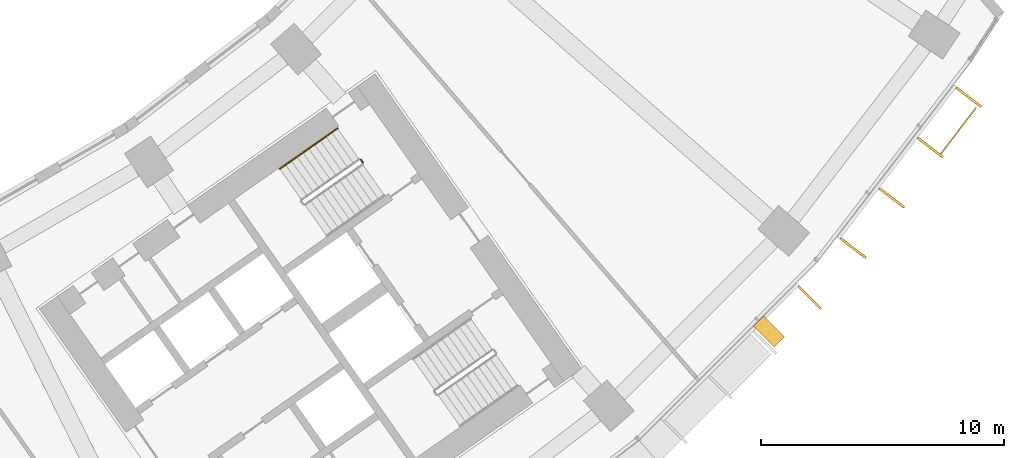
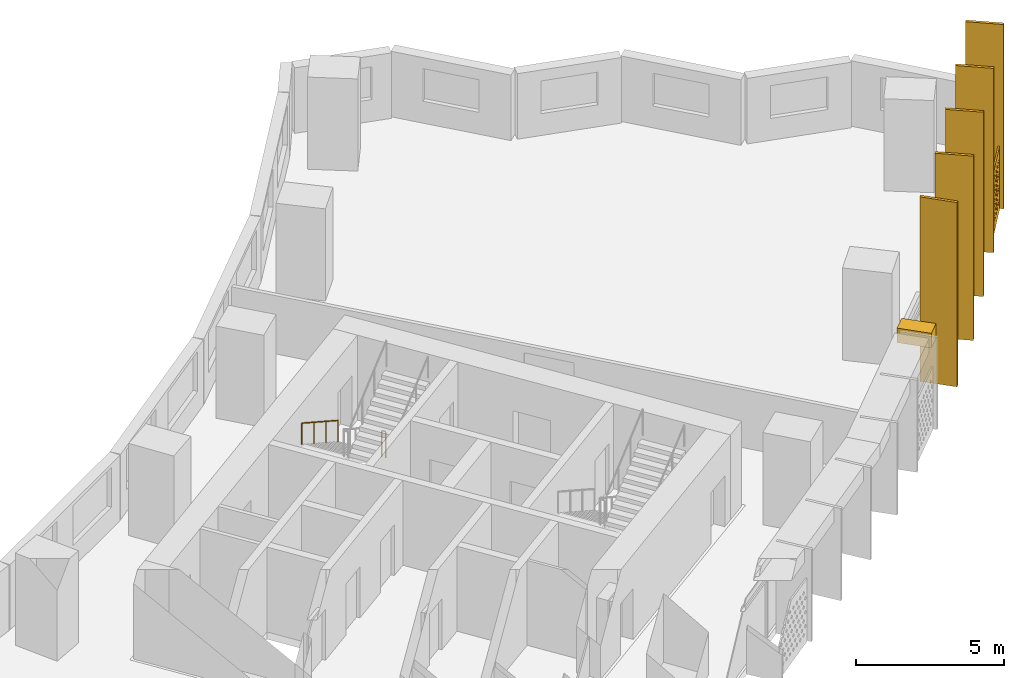
# One storey, part 31 of 31: 7 shading devices, 2 railings.
"""IFC4 building model written with IfcOpenShell, lengths in metres."""

from ifc_helpers import new_model, si_unit, direction, frame, origin, origin_2d, place, context, subcontext, project, spatial, polyline, rectangle, circle, outline, extrude, material, material_profile, profile_set, type_object, element, save


model = new_model("IFC4")

# Units and contexts
model_context = context("Model", 3, precision=1e-05, world=origin(), true_north=direction((0.0, 1.0)))
body_context = subcontext(model_context, "Body", "Model", "MODEL_VIEW")
ifc_project = project(units=[si_unit("LENGTHUNIT", "METRE"), si_unit("AREAUNIT", "SQUARE_METRE"), si_unit("VOLUMEUNIT", "CUBIC_METRE"), si_unit("PLANEANGLEUNIT", "RADIAN"), si_unit("MASSUNIT", "GRAM", prefix="KILO")], contexts=[model_context])

# Site, building, storey
site_placement = place(None, origin())
site = spatial("IfcSite", under=ifc_project, at=site_placement, CompositionType="ELEMENT")
building_placement = place(site_placement, origin())
building = spatial("IfcBuilding", under=site, at=building_placement, Name="Qamariyya Broadcast Tower", CompositionType="ELEMENT")
storey_placement = place(building_placement, frame((0.0, 0.0, 55.699951171875)))
storey = spatial("IfcBuildingStorey", under=building, at=storey_placement, Name="L10", CompositionType="ELEMENT", Elevation=55.699951171875)

# Shading devices
ifc_material_1 = material(Name="Steel S355 powder coated deep red", Category="steel")
shading_device_type_1 = type_object("IfcShadingDeviceType", Name="Deep red frame, powder coated steel box section", PredefinedType="USERDEFINED", material=ifc_material_1)
shading_device_1_placement = place(storey_placement, frame((0.0, 0.0, 3.199951171875)))
element("IfcShadingDevice", 1, at=shading_device_1_placement, inside=storey, type_object=shading_device_type_1, Name="e-frm-B1-F5-postb-L10", ObjectType="FRAME", PredefinedType="USERDEFINED", context=body_context, shape_type="SweptSolid", body=[
    extrude(outline(polyline([(57.21630859375, -55.184814453125), (58.064697265625, -56.033203125), (58.489013671875, -55.60888671875), (57.640380859375, -54.760498046875), (57.21630859375, -55.184814453125)])), origin(), (0.0, 0.0, 1.0), 0.60009765625),
])
ifc_material_2 = material(Name="Perforated glazed terracotta", Category="masonry")
ifc_material_profile_1 = material_profile(ifc_material_2, outline(polyline([(-1.199951171875, -1.300048828125), (1.199951171875, -1.300048828125), (1.199951171875, 1.300048828125), (-1.199951171875, 1.300048828125), (-1.199951171875, -1.300048828125)]), holes=[polyline([(-0.81494140625, -0.86669921875), (-0.89990234375, -0.78173828125), (-0.985107421875, -0.86669921875), (-0.89990234375, -0.95166015625), (-0.81494140625, -0.86669921875)]), polyline([(-0.514892578125, -0.86669921875), (-0.60009765625, -0.78173828125), (-0.68505859375, -0.86669921875), (-0.60009765625, -0.95166015625), (-0.514892578125, -0.86669921875)]), polyline([(-0.215087890625, -0.86669921875), (-0.300048828125, -0.78173828125), (-0.385009765625, -0.86669921875), (-0.300048828125, -0.95166015625), (-0.215087890625, -0.86669921875)]), polyline([(0.0849609375, -0.86669921875), (0.0, -0.78173828125), (-0.0849609375, -0.86669921875), (0.0, -0.95166015625), (0.0849609375, -0.86669921875)]), polyline([(0.385009765625, -0.86669921875), (0.300048828125, -0.78173828125), (0.215087890625, -0.86669921875), (0.300048828125, -0.95166015625), (0.385009765625, -0.86669921875)]), polyline([(0.68505859375, -0.86669921875), (0.60009765625, -0.78173828125), (0.514892578125, -0.86669921875), (0.60009765625, -0.95166015625), (0.68505859375, -0.86669921875)]), polyline([(0.985107421875, -0.86669921875), (0.89990234375, -0.78173828125), (0.81494140625, -0.86669921875), (0.89990234375, -0.95166015625), (0.985107421875, -0.86669921875)]), polyline([(-0.965087890625, -0.577880859375), (-1.050048828125, -0.49267578125), (-1.135009765625, -0.577880859375), (-1.050048828125, -0.662841796875), (-0.965087890625, -0.577880859375)]), polyline([(-0.6650390625, -0.577880859375), (-0.75, -0.49267578125), (-0.8349609375, -0.577880859375), (-0.75, -0.662841796875), (-0.6650390625, -0.577880859375)]), polyline([(-0.364990234375, -0.577880859375), (-0.449951171875, -0.49267578125), (-0.534912109375, -0.577880859375), (-0.449951171875, -0.662841796875), (-0.364990234375, -0.577880859375)]), polyline([(-0.06494140625, -0.577880859375), (-0.14990234375, -0.49267578125), (-0.235107421875, -0.577880859375), (-0.14990234375, -0.662841796875), (-0.06494140625, -0.577880859375)]), polyline([(0.235107421875, -0.577880859375), (0.14990234375, -0.49267578125), (0.06494140625, -0.577880859375), (0.14990234375, -0.662841796875), (0.235107421875, -0.577880859375)]), polyline([(0.534912109375, -0.577880859375), (0.449951171875, -0.49267578125), (0.364990234375, -0.577880859375), (0.449951171875, -0.662841796875), (0.534912109375, -0.577880859375)]), polyline([(0.8349609375, -0.577880859375), (0.75, -0.49267578125), (0.6650390625, -0.577880859375), (0.75, -0.662841796875), (0.8349609375, -0.577880859375)]), polyline([(1.135009765625, -0.577880859375), (1.050048828125, -0.49267578125), (0.965087890625, -0.577880859375), (1.050048828125, -0.662841796875), (1.135009765625, -0.577880859375)]), polyline([(-0.81494140625, -0.288818359375), (-0.89990234375, -0.203857421875), (-0.985107421875, -0.288818359375), (-0.89990234375, -0.373779296875), (-0.81494140625, -0.288818359375)]), polyline([(-0.514892578125, -0.288818359375), (-0.60009765625, -0.203857421875), (-0.68505859375, -0.288818359375), (-0.60009765625, -0.373779296875), (-0.514892578125, -0.288818359375)]), polyline([(-0.215087890625, -0.288818359375), (-0.300048828125, -0.203857421875), (-0.385009765625, -0.288818359375), (-0.300048828125, -0.373779296875), (-0.215087890625, -0.288818359375)]), polyline([(0.0849609375, -0.288818359375), (0.0, -0.203857421875), (-0.0849609375, -0.288818359375), (0.0, -0.373779296875), (0.0849609375, -0.288818359375)]), polyline([(0.385009765625, -0.288818359375), (0.300048828125, -0.203857421875), (0.215087890625, -0.288818359375), (0.300048828125, -0.373779296875), (0.385009765625, -0.288818359375)]), polyline([(0.68505859375, -0.288818359375), (0.60009765625, -0.203857421875), (0.514892578125, -0.288818359375), (0.60009765625, -0.373779296875), (0.68505859375, -0.288818359375)]), polyline([(0.985107421875, -0.288818359375), (0.89990234375, -0.203857421875), (0.81494140625, -0.288818359375), (0.89990234375, -0.373779296875), (0.985107421875, -0.288818359375)]), polyline([(-0.965087890625, 0.0), (-1.050048828125, 0.0849609375), (-1.135009765625, 0.0), (-1.050048828125, -0.0849609375), (-0.965087890625, 0.0)]), polyline([(-0.6650390625, 0.0), (-0.75, 0.0849609375), (-0.8349609375, 0.0), (-0.75, -0.0849609375), (-0.6650390625, 0.0)]), polyline([(-0.364990234375, 0.0), (-0.449951171875, 0.0849609375), (-0.534912109375, 0.0), (-0.449951171875, -0.0849609375), (-0.364990234375, 0.0)]), polyline([(-0.06494140625, 0.0), (-0.14990234375, 0.0849609375), (-0.235107421875, 0.0), (-0.14990234375, -0.0849609375), (-0.06494140625, 0.0)]), polyline([(0.235107421875, 0.0), (0.14990234375, 0.0849609375), (0.06494140625, 0.0), (0.14990234375, -0.0849609375), (0.235107421875, 0.0)]), polyline([(0.534912109375, 0.0), (0.449951171875, 0.0849609375), (0.364990234375, 0.0), (0.449951171875, -0.0849609375), (0.534912109375, 0.0)]), polyline([(0.8349609375, 0.0), (0.75, 0.0849609375), (0.6650390625, 0.0), (0.75, -0.0849609375), (0.8349609375, 0.0)]), polyline([(1.135009765625, 0.0), (1.050048828125, 0.0849609375), (0.965087890625, 0.0), (1.050048828125, -0.0849609375), (1.135009765625, 0.0)]), polyline([(-0.81494140625, 0.288818359375), (-0.89990234375, 0.373779296875), (-0.985107421875, 0.288818359375), (-0.89990234375, 0.203857421875), (-0.81494140625, 0.288818359375)]), polyline([(-0.514892578125, 0.288818359375), (-0.60009765625, 0.373779296875), (-0.68505859375, 0.288818359375), (-0.60009765625, 0.203857421875), (-0.514892578125, 0.288818359375)]), polyline([(-0.215087890625, 0.288818359375), (-0.300048828125, 0.373779296875), (-0.385009765625, 0.288818359375), (-0.300048828125, 0.203857421875), (-0.215087890625, 0.288818359375)]), polyline([(0.0849609375, 0.288818359375), (0.0, 0.373779296875), (-0.0849609375, 0.288818359375), (0.0, 0.203857421875), (0.0849609375, 0.288818359375)]), polyline([(0.385009765625, 0.288818359375), (0.300048828125, 0.373779296875), (0.215087890625, 0.288818359375), (0.300048828125, 0.203857421875), (0.385009765625, 0.288818359375)]), polyline([(0.68505859375, 0.288818359375), (0.60009765625, 0.373779296875), (0.514892578125, 0.288818359375), (0.60009765625, 0.203857421875), (0.68505859375, 0.288818359375)]), polyline([(0.985107421875, 0.288818359375), (0.89990234375, 0.373779296875), (0.81494140625, 0.288818359375), (0.89990234375, 0.203857421875), (0.985107421875, 0.288818359375)]), polyline([(-0.965087890625, 0.577880859375), (-1.050048828125, 0.662841796875), (-1.135009765625, 0.577880859375), (-1.050048828125, 0.49267578125), (-0.965087890625, 0.577880859375)]), polyline([(-0.6650390625, 0.577880859375), (-0.75, 0.662841796875), (-0.8349609375, 0.577880859375), (-0.75, 0.49267578125), (-0.6650390625, 0.577880859375)]), polyline([(-0.364990234375, 0.577880859375), (-0.449951171875, 0.662841796875), (-0.534912109375, 0.577880859375), (-0.449951171875, 0.49267578125), (-0.364990234375, 0.577880859375)]), polyline([(-0.06494140625, 0.577880859375), (-0.14990234375, 0.662841796875), (-0.235107421875, 0.577880859375), (-0.14990234375, 0.49267578125), (-0.06494140625, 0.577880859375)]), polyline([(0.235107421875, 0.577880859375), (0.14990234375, 0.662841796875), (0.06494140625, 0.577880859375), (0.14990234375, 0.49267578125), (0.235107421875, 0.577880859375)]), polyline([(0.534912109375, 0.577880859375), (0.449951171875, 0.662841796875), (0.364990234375, 0.577880859375), (0.449951171875, 0.49267578125), (0.534912109375, 0.577880859375)]), polyline([(0.8349609375, 0.577880859375), (0.75, 0.662841796875), (0.6650390625, 0.577880859375), (0.75, 0.49267578125), (0.8349609375, 0.577880859375)]), polyline([(1.135009765625, 0.577880859375), (1.050048828125, 0.662841796875), (0.965087890625, 0.577880859375), (1.050048828125, 0.49267578125), (1.135009765625, 0.577880859375)]), polyline([(-0.81494140625, 0.86669921875), (-0.89990234375, 0.95166015625), (-0.985107421875, 0.86669921875), (-0.89990234375, 0.78173828125), (-0.81494140625, 0.86669921875)]), polyline([(-0.514892578125, 0.86669921875), (-0.60009765625, 0.95166015625), (-0.68505859375, 0.86669921875), (-0.60009765625, 0.78173828125), (-0.514892578125, 0.86669921875)]), polyline([(-0.215087890625, 0.86669921875), (-0.300048828125, 0.95166015625), (-0.385009765625, 0.86669921875), (-0.300048828125, 0.78173828125), (-0.215087890625, 0.86669921875)]), polyline([(0.0849609375, 0.86669921875), (0.0, 0.95166015625), (-0.0849609375, 0.86669921875), (0.0, 0.78173828125), (0.0849609375, 0.86669921875)]), polyline([(0.385009765625, 0.86669921875), (0.300048828125, 0.95166015625), (0.215087890625, 0.86669921875), (0.300048828125, 0.78173828125), (0.385009765625, 0.86669921875)]), polyline([(0.68505859375, 0.86669921875), (0.60009765625, 0.95166015625), (0.514892578125, 0.86669921875), (0.60009765625, 0.78173828125), (0.68505859375, 0.86669921875)]), polyline([(0.985107421875, 0.86669921875), (0.89990234375, 0.95166015625), (0.81494140625, 0.86669921875), (0.89990234375, 0.78173828125), (0.985107421875, 0.86669921875)])]))
ifc_profile_set_1 = profile_set([ifc_material_profile_1], Name="Perforated glazed terracotta")
shading_device_type_2 = type_object("IfcShadingDeviceType", Name="Perforated terracotta screen 2400 x 2600", PredefinedType="USERDEFINED", material=ifc_profile_set_1)
shading_device_2_placement = place(storey_placement, frame((65.61669921875, -47.13232421875, 1.35009765625), z_axis=(0.794589096806, -0.607147566278, 0.0), x_axis=(0.607147566278, 0.794589096806, 0.0)))
element("IfcShadingDevice", 2, at=shading_device_2_placement, inside=storey, type_object=shading_device_type_2, Name="e-scr-L10-15-2", ObjectType="SCREEN", PredefinedType="USERDEFINED", context=body_context, shape_type="SweptSolid", body=[
    extrude(outline(polyline([(-1.199951171875, -1.300048828125), (1.199951171875, -1.300048828125), (1.199951171875, 1.300048828125), (-1.199951171875, 1.300048828125), (-1.199951171875, -1.300048828125)]), holes=[polyline([(-0.81494140625, -0.86669921875), (-0.89990234375, -0.78173828125), (-0.985107421875, -0.86669921875), (-0.89990234375, -0.95166015625), (-0.81494140625, -0.86669921875)]), polyline([(-0.514892578125, -0.86669921875), (-0.60009765625, -0.78173828125), (-0.68505859375, -0.86669921875), (-0.60009765625, -0.95166015625), (-0.514892578125, -0.86669921875)]), polyline([(-0.215087890625, -0.86669921875), (-0.300048828125, -0.78173828125), (-0.385009765625, -0.86669921875), (-0.300048828125, -0.95166015625), (-0.215087890625, -0.86669921875)]), polyline([(0.0849609375, -0.86669921875), (0.0, -0.78173828125), (-0.0849609375, -0.86669921875), (0.0, -0.95166015625), (0.0849609375, -0.86669921875)]), polyline([(0.385009765625, -0.86669921875), (0.300048828125, -0.78173828125), (0.215087890625, -0.86669921875), (0.300048828125, -0.95166015625), (0.385009765625, -0.86669921875)]), polyline([(0.68505859375, -0.86669921875), (0.60009765625, -0.78173828125), (0.514892578125, -0.86669921875), (0.60009765625, -0.95166015625), (0.68505859375, -0.86669921875)]), polyline([(0.985107421875, -0.86669921875), (0.89990234375, -0.78173828125), (0.81494140625, -0.86669921875), (0.89990234375, -0.95166015625), (0.985107421875, -0.86669921875)]), polyline([(-0.965087890625, -0.577880859375), (-1.050048828125, -0.49267578125), (-1.135009765625, -0.577880859375), (-1.050048828125, -0.662841796875), (-0.965087890625, -0.577880859375)]), polyline([(-0.6650390625, -0.577880859375), (-0.75, -0.49267578125), (-0.8349609375, -0.577880859375), (-0.75, -0.662841796875), (-0.6650390625, -0.577880859375)]), polyline([(-0.364990234375, -0.577880859375), (-0.449951171875, -0.49267578125), (-0.534912109375, -0.577880859375), (-0.449951171875, -0.662841796875), (-0.364990234375, -0.577880859375)]), polyline([(-0.06494140625, -0.577880859375), (-0.14990234375, -0.49267578125), (-0.235107421875, -0.577880859375), (-0.14990234375, -0.662841796875), (-0.06494140625, -0.577880859375)]), polyline([(0.235107421875, -0.577880859375), (0.14990234375, -0.49267578125), (0.06494140625, -0.577880859375), (0.14990234375, -0.662841796875), (0.235107421875, -0.577880859375)]), polyline([(0.534912109375, -0.577880859375), (0.449951171875, -0.49267578125), (0.364990234375, -0.577880859375), (0.449951171875, -0.662841796875), (0.534912109375, -0.577880859375)]), polyline([(0.8349609375, -0.577880859375), (0.75, -0.49267578125), (0.6650390625, -0.577880859375), (0.75, -0.662841796875), (0.8349609375, -0.577880859375)]), polyline([(1.135009765625, -0.577880859375), (1.050048828125, -0.49267578125), (0.965087890625, -0.577880859375), (1.050048828125, -0.662841796875), (1.135009765625, -0.577880859375)]), polyline([(-0.81494140625, -0.288818359375), (-0.89990234375, -0.203857421875), (-0.985107421875, -0.288818359375), (-0.89990234375, -0.373779296875), (-0.81494140625, -0.288818359375)]), polyline([(-0.514892578125, -0.288818359375), (-0.60009765625, -0.203857421875), (-0.68505859375, -0.288818359375), (-0.60009765625, -0.373779296875), (-0.514892578125, -0.288818359375)]), polyline([(-0.215087890625, -0.288818359375), (-0.300048828125, -0.203857421875), (-0.385009765625, -0.288818359375), (-0.300048828125, -0.373779296875), (-0.215087890625, -0.288818359375)]), polyline([(0.0849609375, -0.288818359375), (0.0, -0.203857421875), (-0.0849609375, -0.288818359375), (0.0, -0.373779296875), (0.0849609375, -0.288818359375)]), polyline([(0.385009765625, -0.288818359375), (0.300048828125, -0.203857421875), (0.215087890625, -0.288818359375), (0.300048828125, -0.373779296875), (0.385009765625, -0.288818359375)]), polyline([(0.68505859375, -0.288818359375), (0.60009765625, -0.203857421875), (0.514892578125, -0.288818359375), (0.60009765625, -0.373779296875), (0.68505859375, -0.288818359375)]), polyline([(0.985107421875, -0.288818359375), (0.89990234375, -0.203857421875), (0.81494140625, -0.288818359375), (0.89990234375, -0.373779296875), (0.985107421875, -0.288818359375)]), polyline([(-0.965087890625, 0.0), (-1.050048828125, 0.0849609375), (-1.135009765625, 0.0), (-1.050048828125, -0.0849609375), (-0.965087890625, 0.0)]), polyline([(-0.6650390625, 0.0), (-0.75, 0.0849609375), (-0.8349609375, 0.0), (-0.75, -0.0849609375), (-0.6650390625, 0.0)]), polyline([(-0.364990234375, 0.0), (-0.449951171875, 0.0849609375), (-0.534912109375, 0.0), (-0.449951171875, -0.0849609375), (-0.364990234375, 0.0)]), polyline([(-0.06494140625, 0.0), (-0.14990234375, 0.0849609375), (-0.235107421875, 0.0), (-0.14990234375, -0.0849609375), (-0.06494140625, 0.0)]), polyline([(0.235107421875, 0.0), (0.14990234375, 0.0849609375), (0.06494140625, 0.0), (0.14990234375, -0.0849609375), (0.235107421875, 0.0)]), polyline([(0.534912109375, 0.0), (0.449951171875, 0.0849609375), (0.364990234375, 0.0), (0.449951171875, -0.0849609375), (0.534912109375, 0.0)]), polyline([(0.8349609375, 0.0), (0.75, 0.0849609375), (0.6650390625, 0.0), (0.75, -0.0849609375), (0.8349609375, 0.0)]), polyline([(1.135009765625, 0.0), (1.050048828125, 0.0849609375), (0.965087890625, 0.0), (1.050048828125, -0.0849609375), (1.135009765625, 0.0)]), polyline([(-0.81494140625, 0.288818359375), (-0.89990234375, 0.373779296875), (-0.985107421875, 0.288818359375), (-0.89990234375, 0.203857421875), (-0.81494140625, 0.288818359375)]), polyline([(-0.514892578125, 0.288818359375), (-0.60009765625, 0.373779296875), (-0.68505859375, 0.288818359375), (-0.60009765625, 0.203857421875), (-0.514892578125, 0.288818359375)]), polyline([(-0.215087890625, 0.288818359375), (-0.300048828125, 0.373779296875), (-0.385009765625, 0.288818359375), (-0.300048828125, 0.203857421875), (-0.215087890625, 0.288818359375)]), polyline([(0.0849609375, 0.288818359375), (0.0, 0.373779296875), (-0.0849609375, 0.288818359375), (0.0, 0.203857421875), (0.0849609375, 0.288818359375)]), polyline([(0.385009765625, 0.288818359375), (0.300048828125, 0.373779296875), (0.215087890625, 0.288818359375), (0.300048828125, 0.203857421875), (0.385009765625, 0.288818359375)]), polyline([(0.68505859375, 0.288818359375), (0.60009765625, 0.373779296875), (0.514892578125, 0.288818359375), (0.60009765625, 0.203857421875), (0.68505859375, 0.288818359375)]), polyline([(0.985107421875, 0.288818359375), (0.89990234375, 0.373779296875), (0.81494140625, 0.288818359375), (0.89990234375, 0.203857421875), (0.985107421875, 0.288818359375)]), polyline([(-0.965087890625, 0.577880859375), (-1.050048828125, 0.662841796875), (-1.135009765625, 0.577880859375), (-1.050048828125, 0.49267578125), (-0.965087890625, 0.577880859375)]), polyline([(-0.6650390625, 0.577880859375), (-0.75, 0.662841796875), (-0.8349609375, 0.577880859375), (-0.75, 0.49267578125), (-0.6650390625, 0.577880859375)]), polyline([(-0.364990234375, 0.577880859375), (-0.449951171875, 0.662841796875), (-0.534912109375, 0.577880859375), (-0.449951171875, 0.49267578125), (-0.364990234375, 0.577880859375)]), polyline([(-0.06494140625, 0.577880859375), (-0.14990234375, 0.662841796875), (-0.235107421875, 0.577880859375), (-0.14990234375, 0.49267578125), (-0.06494140625, 0.577880859375)]), polyline([(0.235107421875, 0.577880859375), (0.14990234375, 0.662841796875), (0.06494140625, 0.577880859375), (0.14990234375, 0.49267578125), (0.235107421875, 0.577880859375)]), polyline([(0.534912109375, 0.577880859375), (0.449951171875, 0.662841796875), (0.364990234375, 0.577880859375), (0.449951171875, 0.49267578125), (0.534912109375, 0.577880859375)]), polyline([(0.8349609375, 0.577880859375), (0.75, 0.662841796875), (0.6650390625, 0.577880859375), (0.75, 0.49267578125), (0.8349609375, 0.577880859375)]), polyline([(1.135009765625, 0.577880859375), (1.050048828125, 0.662841796875), (0.965087890625, 0.577880859375), (1.050048828125, 0.49267578125), (1.135009765625, 0.577880859375)]), polyline([(-0.81494140625, 0.86669921875), (-0.89990234375, 0.95166015625), (-0.985107421875, 0.86669921875), (-0.89990234375, 0.78173828125), (-0.81494140625, 0.86669921875)]), polyline([(-0.514892578125, 0.86669921875), (-0.60009765625, 0.95166015625), (-0.68505859375, 0.86669921875), (-0.60009765625, 0.78173828125), (-0.514892578125, 0.86669921875)]), polyline([(-0.215087890625, 0.86669921875), (-0.300048828125, 0.95166015625), (-0.385009765625, 0.86669921875), (-0.300048828125, 0.78173828125), (-0.215087890625, 0.86669921875)]), polyline([(0.0849609375, 0.86669921875), (0.0, 0.95166015625), (-0.0849609375, 0.86669921875), (0.0, 0.78173828125), (0.0849609375, 0.86669921875)]), polyline([(0.385009765625, 0.86669921875), (0.300048828125, 0.95166015625), (0.215087890625, 0.86669921875), (0.300048828125, 0.78173828125), (0.385009765625, 0.86669921875)]), polyline([(0.68505859375, 0.86669921875), (0.60009765625, 0.95166015625), (0.514892578125, 0.86669921875), (0.60009765625, 0.78173828125), (0.68505859375, 0.86669921875)]), polyline([(0.985107421875, 0.86669921875), (0.89990234375, 0.95166015625), (0.81494140625, 0.86669921875), (0.89990234375, 0.78173828125), (0.985107421875, 0.86669921875)])]), origin(), (0.0, 0.0, 1.0), 0.059814453125),
])

# Railings
ifc_material_3 = material(Name="Painted steel", Category="steel")
railing_type_1 = type_object("IfcRailingType", Name="Stair guard", PredefinedType="GUARDRAIL", material=ifc_material_3)
railing_1_placement = place(storey_placement, frame((41.072998046875, -48.332275390625, 0.0)))
element("IfcRailing", 3, at=railing_1_placement, inside=storey, type_object=railing_type_1, Name="L10 ST-E2 stair guard 3", PredefinedType="GUARDRAIL", context=body_context, shape_type="SweptSolid", body=[
    extrude(circle(Radius=0.02392578125, at=origin_2d()), frame((0.0, 0.0, 1.076171875), z_axis=(0.572588637393, -0.819842821722, 0.0), x_axis=(0.819842821722, 0.572588637393, 0.0)), (0.0, 0.0, 1.0), 0.150146484375),
    extrude(circle(Radius=0.02099609375, at=origin_2d()), origin(), (0.0, 0.0, 1.0), 1.052001953125),
    extrude(circle(Radius=0.02099609375, at=origin_2d()), frame((0.0859375, -0.123046875, 0.0)), (0.0, 0.0, 1.0), 1.052001953125),
])
ifc_material_4 = material(Name="Stainless steel", Category="steel")
railing_type_2 = type_object("IfcRailingType", Name="Stair handrail", PredefinedType="HANDRAIL", material=ifc_material_4)
railing_2_placement = place(storey_placement, frame((40.1142578125, -47.05029296875, 0.1728515625)))
element("IfcRailing", 4, at=railing_2_placement, inside=storey, type_object=railing_type_2, Name="L10 ST-E2 stair handrail 1", PredefinedType="HANDRAIL", context=body_context, shape_type="SweptSolid", body=[
    extrude(circle(Radius=0.02392578125, at=origin_2d()), frame((0.0, 0.0, 0.8759765625), z_axis=(-0.703745009021, -0.492838488332, 0.511715923826), x_axis=(0.573631830683, -0.819113253969, 0.0)), (0.0, 0.0, 1.0), 3.37548828125),
    extrude(circle(Radius=0.02099609375, at=origin_2d()), origin(), (0.0, 0.0, 1.0), 0.851806640625),
    extrude(circle(Radius=0.02099609375, at=origin_2d()), frame((-0.791748046875, -0.554443359375, 0.57568359375)), (0.0, 0.0, 1.0), 0.851806640625),
    extrude(circle(Radius=0.02099609375, at=origin_2d()), frame((-1.583740234375, -1.109130859375, 1.151611328125)), (0.0, 0.0, 1.0), 0.851806640625),
    extrude(circle(Radius=0.02099609375, at=origin_2d()), frame((-2.37548828125, -1.66357421875, 1.727294921875)), (0.0, 0.0, 1.0), 0.851806640625),
])

# Shading devices
ifc_material_5 = material(Name="Glazed terracotta", Category="masonry")
ifc_material_profile_2 = material_profile(ifc_material_5, rectangle(XDim=1.300048828125, YDim=0.10009765625, at=origin_2d()))
ifc_profile_set_2 = profile_set([ifc_material_profile_2], Name="Glazed terracotta")
shading_device_type_3 = type_object("IfcShadingDeviceType", Name="Terracotta fin 100 x 1300", PredefinedType="USERDEFINED", material=ifc_profile_set_2)
for number, where, z_axis, x_axis, name in (
    (5, (59.52880859375, -54.00341796875, 0.0), (0.0, 0.0, 1.0), (0.707106781187, -0.707106781187, 0.0), "e-fin-L10-14-3"),
    (6, (61.3115234375, -51.970703125, 0.0), (0.0, 0.0, 1.0), (0.793353340291, -0.608761429009, 0.0), "e-fin-L10-15-0"),
    (7, (62.897216796875, -49.904296875, 0.0), (0.0, 0.0, 1.0), (0.793353340291, -0.608761429009, 0.0), "e-fin-L10-15-1"),
    (8, (64.48291015625, -47.837890625, 0.0), (0.0, 0.0, 1.0), (0.793353340291, -0.608761429009, 0.0), "e-fin-L10-15-2"),
    (9, (66.068359375, -45.771484375, 0.0), (0.0, 0.0, 1.0), (0.793353340291, -0.608761429009, 0.0), "e-fin-L10-15-3"),
):
    element("IfcShadingDevice", number, at=place(storey_placement, frame(where, z_axis=z_axis, x_axis=x_axis)), inside=storey, type_object=shading_device_type_3, Name=name, ObjectType="FIN", PredefinedType="USERDEFINED", context=body_context, shape_type="SweptSolid", body=[
        extrude(rectangle(XDim=1.300048828125, YDim=0.10009765625, at=origin_2d()), origin(), (0.0, 0.0, 1.0), 7.60009765625),
    ])

save(model, "model.ifc")
